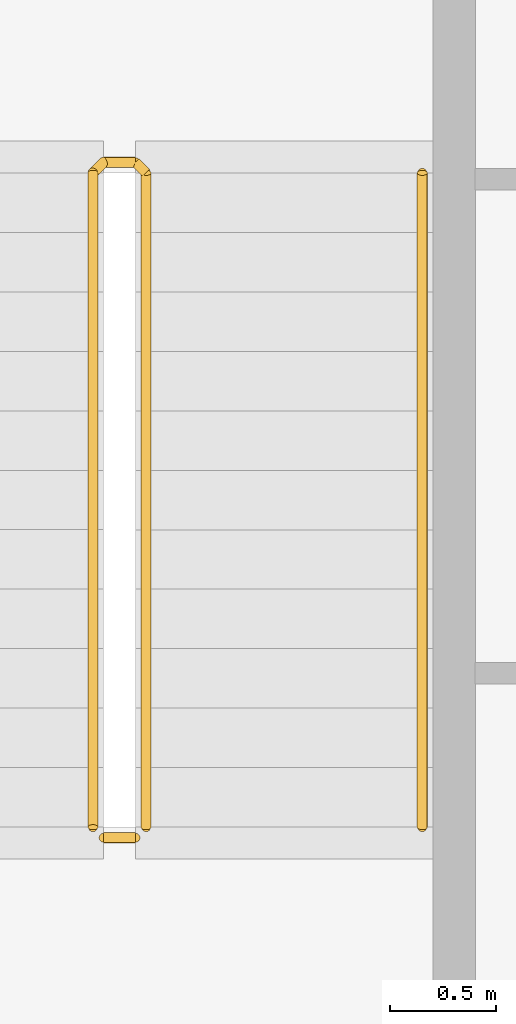
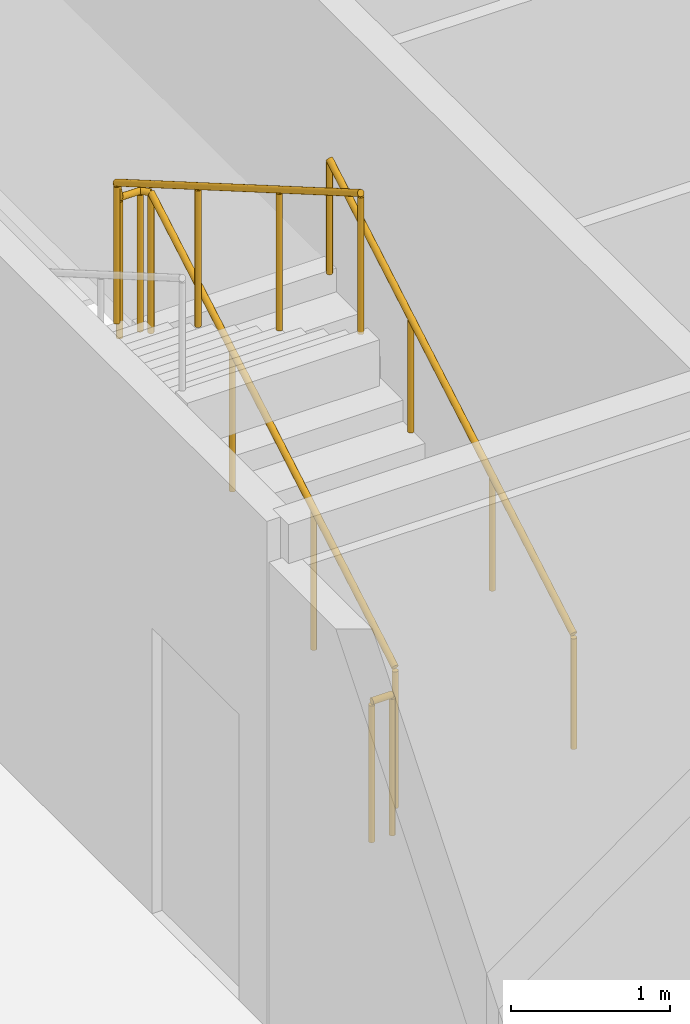
# One storey, part 20 of 21: 3 railings.
"""IFC4 building model written with IfcOpenShell, lengths in metres."""

from ifc_helpers import new_model, si_unit, direction, frame, origin, origin_2d, place, context, subcontext, project, spatial, circle, extrude, material, type_object, element, save


model = new_model("IFC4")

# Units and contexts
model_context = context("Model", 3, precision=1e-05, world=origin(), true_north=direction((0.0, 1.0)))
body_context = subcontext(model_context, "Body", "Model", "MODEL_VIEW")
ifc_project = project(units=[si_unit("LENGTHUNIT", "METRE"), si_unit("AREAUNIT", "SQUARE_METRE"), si_unit("VOLUMEUNIT", "CUBIC_METRE"), si_unit("PLANEANGLEUNIT", "RADIAN"), si_unit("MASSUNIT", "GRAM", prefix="KILO")], contexts=[model_context])

# Site, building, storey
site_placement = place(None, origin())
site = spatial("IfcSite", under=ifc_project, at=site_placement, CompositionType="ELEMENT")
building_placement = place(site_placement, origin())
building = spatial("IfcBuilding", under=site, at=building_placement, Name="Kheshtan School and Residences Tower", CompositionType="ELEMENT")
storey_placement = place(building_placement, frame((0.0, 0.0, 309.800048828125)))
storey = spatial("IfcBuildingStorey", under=building, at=storey_placement, Name="L73", CompositionType="ELEMENT", Elevation=309.800048828125)

# Railings
ifc_material_1 = material(Name="Stainless steel balustrade", Category="steel")
railing_type_1 = type_object("IfcRailingType", Name="Stair guard 1100", PredefinedType="GUARDRAIL", material=ifc_material_1)
railing_1_placement = place(storey_placement, frame((35.0, 80.89990234375, 0.162353515625)))
element("IfcRailing", 1, at=railing_1_placement, inside=storey, type_object=railing_type_1, Name="L73 ST3 stair guard 1", PredefinedType="GUARDRAIL", context=body_context, shape_type="SweptSolid", body=[
    extrude(circle(Radius=0.02392578125, at=origin_2d()), frame((0.0, 0.0, 1.076171875), z_axis=(0.0, 0.864890721111, 0.501960198159), x_axis=(-1.0, 0.0, 0.0)), (0.0, 0.0, 1.0), 3.561279296875),
    extrude(circle(Radius=0.02392578125, at=origin_2d()), frame((0.0, 3.080078125, 2.86376953125), z_axis=(-0.707106781187, 0.707106781187, 0.0), x_axis=(-0.707106781187, -0.707106781187, 0.0)), (0.0, 0.0, 1.0), 0.07080078125),
    extrude(circle(Radius=0.02392578125, at=origin_2d()), frame((-0.050048828125, 3.130126953125, 2.86376953125), z_axis=(-1.0, 0.0, 0.0), x_axis=(0.0, -1.0, 0.0)), (0.0, 0.0, 1.0), 0.14990234375),
    extrude(circle(Radius=0.02392578125, at=origin_2d()), frame((-0.199951171875, 3.130126953125, 2.86376953125), z_axis=(-0.282227285176, -0.282227285176, 0.916894497205), x_axis=(0.707106781187, -0.707106781187, 0.0)), (0.0, 0.0, 1.0), 0.17724609375),
    extrude(circle(Radius=0.02392578125, at=origin_2d()), frame((-0.25, 3.080078125, 3.0263671875), z_axis=(0.0, -0.864920483161, 0.501908913857), x_axis=(1.0, 0.0, 0.0)), (0.0, 0.0, 1.0), 3.56103515625),
    extrude(circle(Radius=0.02099609375, at=origin_2d()), origin(), (0.0, 0.0, 1.0), 1.052001953125),
    extrude(circle(Radius=0.02099609375, at=origin_2d()), frame((0.0, 1.026611328125, 0.595947265625)), (0.0, 0.0, 1.0), 1.052001953125),
    extrude(circle(Radius=0.02099609375, at=origin_2d()), frame((0.0, 2.053466796875, 1.191650390625)), (0.0, 0.0, 1.0), 1.052001953125),
    extrude(circle(Radius=0.02099609375, at=origin_2d()), frame((0.0, 3.080078125, 1.78759765625)), (0.0, 0.0, 1.0), 1.052001953125),
    extrude(circle(Radius=0.02099609375, at=origin_2d()), frame((-0.050048828125, 3.130126953125, 1.78759765625)), (0.0, 0.0, 1.0), 1.052001953125),
    extrude(circle(Radius=0.02099609375, at=origin_2d()), frame((-0.199951171875, 3.130126953125, 1.78759765625)), (0.0, 0.0, 1.0), 1.052001953125),
    extrude(circle(Radius=0.02099609375, at=origin_2d()), frame((-0.25, 3.080078125, 1.9501953125)), (0.0, 0.0, 1.0), 1.052001953125),
    extrude(circle(Radius=0.02099609375, at=origin_2d()), frame((-0.25, 2.053466796875, 2.5458984375)), (0.0, 0.0, 1.0), 1.052001953125),
    extrude(circle(Radius=0.02099609375, at=origin_2d()), frame((-0.25, 1.026611328125, 3.141845703125)), (0.0, 0.0, 1.0), 1.052001953125),
    extrude(circle(Radius=0.02099609375, at=origin_2d()), frame((-0.25, 0.0, 3.737548828125)), (0.0, 0.0, 1.0), 1.052001953125),
])
railing_2_placement = place(storey_placement, frame((34.949951171875, 80.85009765625, 0.0)))
element("IfcRailing", 2, at=railing_2_placement, inside=storey, type_object=railing_type_1, Name="L73 ST3 stair guard 2", PredefinedType="GUARDRAIL", context=body_context, shape_type="SweptSolid", body=[
    extrude(circle(Radius=0.02392578125, at=origin_2d()), frame((0.0, 0.0, 1.076171875), z_axis=(-1.0, 0.0, 0.0), x_axis=(0.0, -1.0, 0.0)), (0.0, 0.0, 1.0), 0.14990234375),
    extrude(circle(Radius=0.02099609375, at=origin_2d()), origin(), (0.0, 0.0, 1.0), 1.052001953125),
    extrude(circle(Radius=0.02099609375, at=origin_2d()), frame((-0.14990234375, 0.0, 0.0)), (0.0, 0.0, 1.0), 1.052001953125),
])
ifc_material_2 = material(Name="Stainless steel handrail", Category="steel")
railing_type_2 = type_object("IfcRailingType", Name="Stair handrail 900", PredefinedType="HANDRAIL", material=ifc_material_2)
railing_3_placement = place(storey_placement, frame((36.300048828125, 80.89990234375, 0.162353515625)))
element("IfcRailing", 3, at=railing_3_placement, inside=storey, type_object=railing_type_2, Name="L73 ST3 stair handrail 1", PredefinedType="HANDRAIL", context=body_context, shape_type="SweptSolid", body=[
    extrude(circle(Radius=0.02392578125, at=origin_2d()), frame((0.0, 0.0, 0.8759765625), z_axis=(0.0, 0.864890721111, 0.501960198159), x_axis=(-1.0, 0.0, 0.0)), (0.0, 0.0, 1.0), 3.561279296875),
    extrude(circle(Radius=0.02099609375, at=origin_2d()), origin(), (0.0, 0.0, 1.0), 0.851806640625),
    extrude(circle(Radius=0.02099609375, at=origin_2d()), frame((0.0, 1.026611328125, 0.595947265625)), (0.0, 0.0, 1.0), 0.851806640625),
    extrude(circle(Radius=0.02099609375, at=origin_2d()), frame((0.0, 2.053466796875, 1.191650390625)), (0.0, 0.0, 1.0), 0.851806640625),
    extrude(circle(Radius=0.02099609375, at=origin_2d()), frame((0.0, 3.080078125, 1.78759765625)), (0.0, 0.0, 1.0), 0.851806640625),
])

save(model, "model.ifc")
